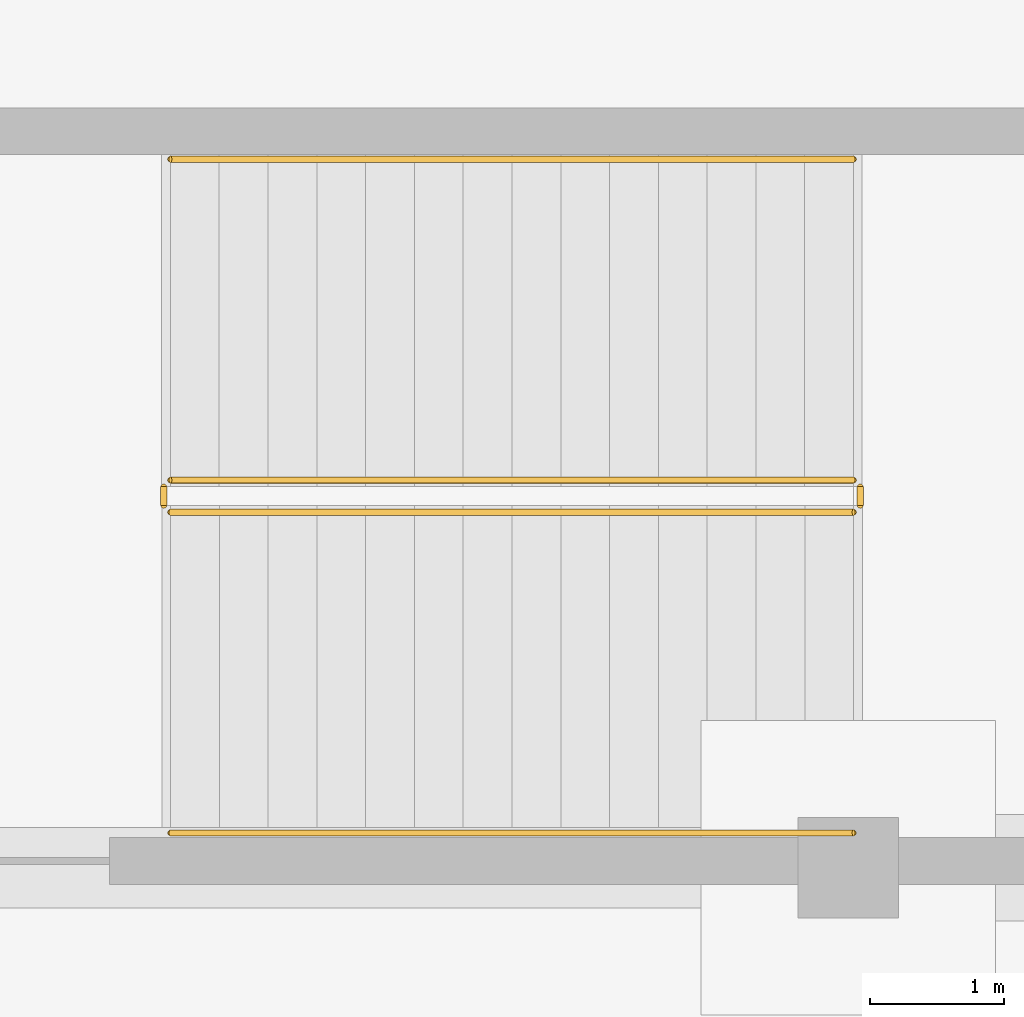
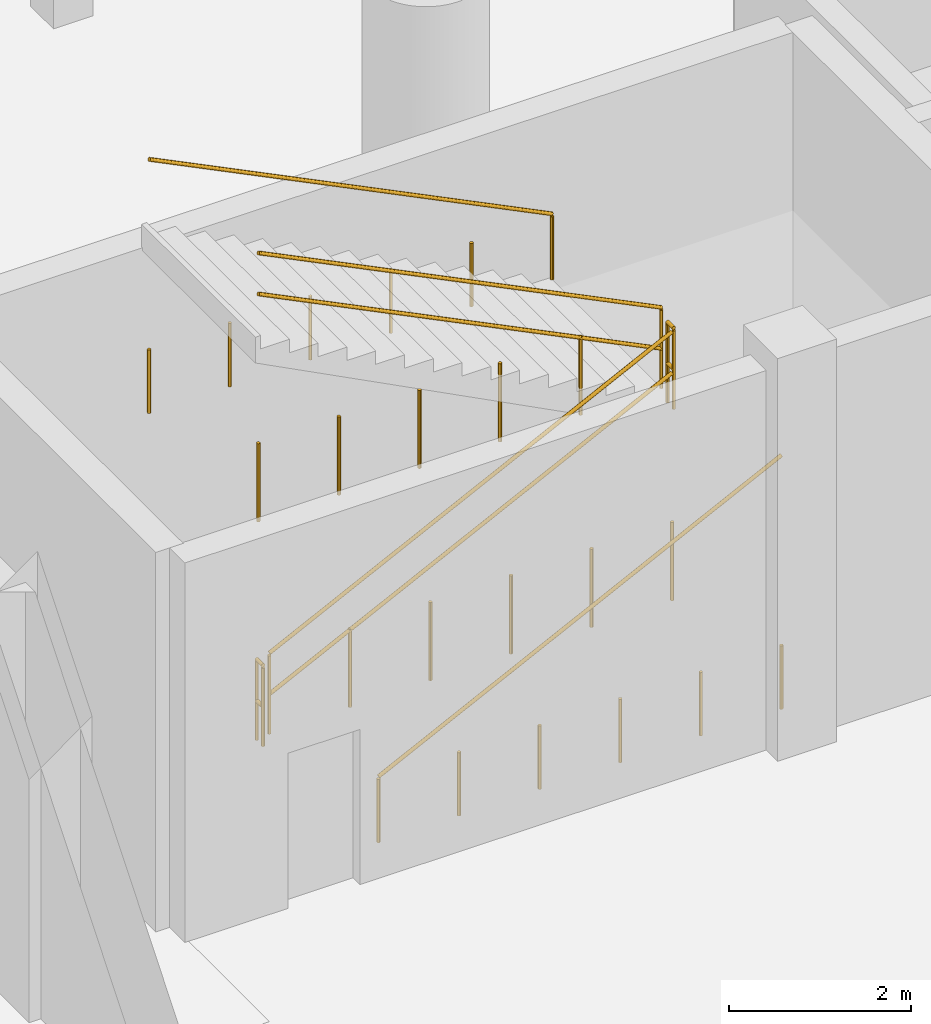
# One storey, part 35 of 44: 6 railings.
"""IFC4 building model written with IfcOpenShell, lengths in metres."""

from ifc_helpers import new_model, si_unit, direction, frame, origin, origin_2d, place, context, subcontext, project, spatial, circle, extrude, material, type_object, element, save


model = new_model("IFC4")

# Units and contexts
model_context = context("Model", 3, precision=1e-05, world=origin(), true_north=direction((0.0, 1.0)))
body_context = subcontext(model_context, "Body", "Model", "MODEL_VIEW")
ifc_project = project(units=[si_unit("LENGTHUNIT", "METRE"), si_unit("AREAUNIT", "SQUARE_METRE"), si_unit("VOLUMEUNIT", "CUBIC_METRE"), si_unit("PLANEANGLEUNIT", "RADIAN"), si_unit("MASSUNIT", "GRAM", prefix="KILO")], contexts=[model_context])

# Site, building, storey
site_placement = place(None, origin())
site = spatial("IfcSite", under=ifc_project, at=site_placement, CompositionType="ELEMENT")
building_placement = place(site_placement, origin())
building = spatial("IfcBuilding", under=site, at=building_placement, Name="Danafjord Basin Convention Centre", CompositionType="ELEMENT")
storey_placement = place(building_placement, frame((0.0, 0.0, -5.39990234375)))
storey = spatial("IfcBuildingStorey", under=building, at=storey_placement, Name="B1", CompositionType="ELEMENT", Elevation=-5.39990234375)

# Railings
ifc_material_1 = material(Name="Galvanised steel S355", Category="steel")
railing_type_1 = type_object("IfcRailingType", Name="RL-GD-WELL", PredefinedType="BALUSTRADE", material=ifc_material_1)
railing_1_placement = place(storey_placement, frame((4.530029296875, 50.659912109375, 0.179931640625)))
element("IfcRailing", 1, at=railing_1_placement, inside=storey, type_object=railing_type_1, Name="B1 ST-07 stair guard 1", PredefinedType="BALUSTRADE", context=body_context, shape_type="SweptSolid", body=[
    extrude(circle(Radius=0.02392578125, at=origin_2d()), frame((0.0, 0.0, 1.076171875), z_axis=(0.89686481642, 0.0, 0.442304760396), x_axis=(0.0, 1.0, 0.0)), (0.0, 0.0, 1.0), 5.697509765625),
    extrude(circle(Radius=0.02392578125, at=origin_2d()), frame((0.0, 0.0, 0.52587890625), z_axis=(0.89686481642, 0.0, 0.442304760396), x_axis=(0.0, 1.0, 0.0)), (0.0, 0.0, 1.0), 5.697509765625),
    extrude(circle(Radius=0.02099609375, at=origin_2d()), origin(), (0.0, 0.0, 1.0), 1.050048828125),
    extrude(circle(Radius=0.02099609375, at=origin_2d()), frame((1.02197265625, 0.0, 0.0)), (0.0, 0.0, 1.0), 1.050048828125),
    extrude(circle(Radius=0.02099609375, at=origin_2d()), frame((2.0439453125, 0.0, 0.0)), (0.0, 0.0, 1.0), 1.050048828125),
    extrude(circle(Radius=0.02099609375, at=origin_2d()), frame((3.06591796875, 0.0, 0.0)), (0.0, 0.0, 1.0), 1.050048828125),
    extrude(circle(Radius=0.02099609375, at=origin_2d()), frame((4.087890625, 0.0, 0.0)), (0.0, 0.0, 1.0), 1.050048828125),
    extrude(circle(Radius=0.02099609375, at=origin_2d()), frame((5.10986328125, 0.0, 0.0)), (0.0, 0.0, 1.0), 1.050048828125),
])
railing_2_placement = place(storey_placement, frame((9.68994140625, 50.7099609375, 2.699951171875)))
element("IfcRailing", 2, at=railing_2_placement, inside=storey, type_object=railing_type_1, Name="B1 ST-07 stair guard 2", PredefinedType="BALUSTRADE", context=body_context, shape_type="SweptSolid", body=[
    extrude(circle(Radius=0.02392578125, at=origin_2d()), frame((0.0, 0.0, 1.076171875), z_axis=(0.0, 1.0, 0.0), x_axis=(-1.0, 0.0, 0.0)), (0.0, 0.0, 1.0), 0.14013671875),
    extrude(circle(Radius=0.02392578125, at=origin_2d()), frame((0.0, 0.0, 0.52587890625), z_axis=(0.0, 1.0, 0.0), x_axis=(-1.0, 0.0, 0.0)), (0.0, 0.0, 1.0), 0.14013671875),
    extrude(circle(Radius=0.02099609375, at=origin_2d()), origin(), (0.0, 0.0, 1.0), 1.050048828125),
    extrude(circle(Radius=0.02099609375, at=origin_2d()), frame((0.0, 0.14013671875, 0.0)), (0.0, 0.0, 1.0), 1.050048828125),
])
railing_3_placement = place(storey_placement, frame((9.639892578125, 50.89990234375, 2.8798828125)))
element("IfcRailing", 3, at=railing_3_placement, inside=storey, type_object=railing_type_1, Name="B1 ST-07 stair guard 3", PredefinedType="BALUSTRADE", context=body_context, shape_type="SweptSolid", body=[
    extrude(circle(Radius=0.02392578125, at=origin_2d()), frame((0.0, 0.0, 1.076171875), z_axis=(-0.89686481642, 0.0, 0.442304760396), x_axis=(0.0, -1.0, 0.0)), (0.0, 0.0, 1.0), 5.697509765625),
    extrude(circle(Radius=0.02392578125, at=origin_2d()), frame((0.0, 0.0, 0.52587890625), z_axis=(-0.89686481642, 0.0, 0.442304760396), x_axis=(0.0, -1.0, 0.0)), (0.0, 0.0, 1.0), 5.697509765625),
    extrude(circle(Radius=0.02099609375, at=origin_2d()), origin(), (0.0, 0.0, 1.0), 1.050048828125),
    extrude(circle(Radius=0.02099609375, at=origin_2d()), frame((-1.02197265625, 0.0, 0.0)), (0.0, 0.0, 1.0), 1.050048828125),
    extrude(circle(Radius=0.02099609375, at=origin_2d()), frame((-2.0439453125, 0.0, 0.0)), (0.0, 0.0, 1.0), 1.050048828125),
    extrude(circle(Radius=0.02099609375, at=origin_2d()), frame((-3.06591796875, 0.0, 0.0)), (0.0, 0.0, 1.0), 1.050048828125),
    extrude(circle(Radius=0.02099609375, at=origin_2d()), frame((-4.087890625, 0.0, 0.0)), (0.0, 0.0, 1.0), 1.050048828125),
    extrude(circle(Radius=0.02099609375, at=origin_2d()), frame((-5.10986328125, 0.0, 0.0)), (0.0, 0.0, 1.0), 1.050048828125),
])
railing_4_placement = place(storey_placement, frame((4.47998046875, 50.7099609375, 0.0)))
element("IfcRailing", 4, at=railing_4_placement, inside=storey, type_object=railing_type_1, Name="B1 ST-07 stair guard 4", PredefinedType="BALUSTRADE", context=body_context, shape_type="SweptSolid", body=[
    extrude(circle(Radius=0.02392578125, at=origin_2d()), frame((0.0, 0.0, 1.076171875), z_axis=(0.0, 1.0, 0.0), x_axis=(-1.0, 0.0, 0.0)), (0.0, 0.0, 1.0), 0.14013671875),
    extrude(circle(Radius=0.02392578125, at=origin_2d()), frame((0.0, 0.0, 0.52587890625), z_axis=(0.0, 1.0, 0.0), x_axis=(-1.0, 0.0, 0.0)), (0.0, 0.0, 1.0), 0.14013671875),
    extrude(circle(Radius=0.02099609375, at=origin_2d()), origin(), (0.0, 0.0, 1.0), 1.050048828125),
    extrude(circle(Radius=0.02099609375, at=origin_2d()), frame((0.0, 0.14013671875, 0.0)), (0.0, 0.0, 1.0), 1.050048828125),
])
ifc_material_2 = material(Name="Brushed stainless steel EN 1.4404", Category="steel")
railing_type_2 = type_object("IfcRailingType", Name="RL-HR-STAIR", PredefinedType="HANDRAIL", material=ifc_material_2)
railing_5_placement = place(storey_placement, frame((4.530029296875, 48.260009765625, 0.179931640625)))
element("IfcRailing", 5, at=railing_5_placement, inside=storey, type_object=railing_type_2, Name="B1 ST-07 stair handrail 1", PredefinedType="HANDRAIL", context=body_context, shape_type="SweptSolid", body=[
    extrude(circle(Radius=0.02392578125, at=origin_2d()), frame((0.0, 0.0, 0.8759765625), z_axis=(0.89686481642, 0.0, 0.442304760396), x_axis=(0.0, 1.0, 0.0)), (0.0, 0.0, 1.0), 5.697509765625),
    extrude(circle(Radius=0.02099609375, at=origin_2d()), origin(), (0.0, 0.0, 1.0), 0.849853515625),
    extrude(circle(Radius=0.02099609375, at=origin_2d()), frame((1.02197265625, 0.0, 0.0)), (0.0, 0.0, 1.0), 0.849853515625),
    extrude(circle(Radius=0.02099609375, at=origin_2d()), frame((2.0439453125, 0.0, 0.0)), (0.0, 0.0, 1.0), 0.849853515625),
    extrude(circle(Radius=0.02099609375, at=origin_2d()), frame((3.06591796875, 0.0, 0.0)), (0.0, 0.0, 1.0), 0.849853515625),
    extrude(circle(Radius=0.02099609375, at=origin_2d()), frame((4.087890625, 0.0, 0.0)), (0.0, 0.0, 1.0), 0.849853515625),
    extrude(circle(Radius=0.02099609375, at=origin_2d()), frame((5.10986328125, 0.0, 0.0)), (0.0, 0.0, 1.0), 0.849853515625),
])
railing_6_placement = place(storey_placement, frame((9.639892578125, 53.300048828125, 2.8798828125)))
element("IfcRailing", 6, at=railing_6_placement, inside=storey, type_object=railing_type_2, Name="B1 ST-07 stair handrail 2", PredefinedType="HANDRAIL", context=body_context, shape_type="SweptSolid", body=[
    extrude(circle(Radius=0.02392578125, at=origin_2d()), frame((0.0, 0.0, 0.8759765625), z_axis=(-0.89686481642, 0.0, 0.442304760396), x_axis=(0.0, -1.0, 0.0)), (0.0, 0.0, 1.0), 5.697509765625),
    extrude(circle(Radius=0.02099609375, at=origin_2d()), origin(), (0.0, 0.0, 1.0), 0.849853515625),
    extrude(circle(Radius=0.02099609375, at=origin_2d()), frame((-1.02197265625, 0.0, 0.0)), (0.0, 0.0, 1.0), 0.849853515625),
    extrude(circle(Radius=0.02099609375, at=origin_2d()), frame((-2.0439453125, 0.0, 0.0)), (0.0, 0.0, 1.0), 0.849853515625),
    extrude(circle(Radius=0.02099609375, at=origin_2d()), frame((-3.06591796875, 0.0, 0.0)), (0.0, 0.0, 1.0), 0.849853515625),
    extrude(circle(Radius=0.02099609375, at=origin_2d()), frame((-4.087890625, 0.0, 0.0)), (0.0, 0.0, 1.0), 0.849853515625),
    extrude(circle(Radius=0.02099609375, at=origin_2d()), frame((-5.10986328125, 0.0, 0.0)), (0.0, 0.0, 1.0), 0.849853515625),
])

save(model, "model.ifc")
